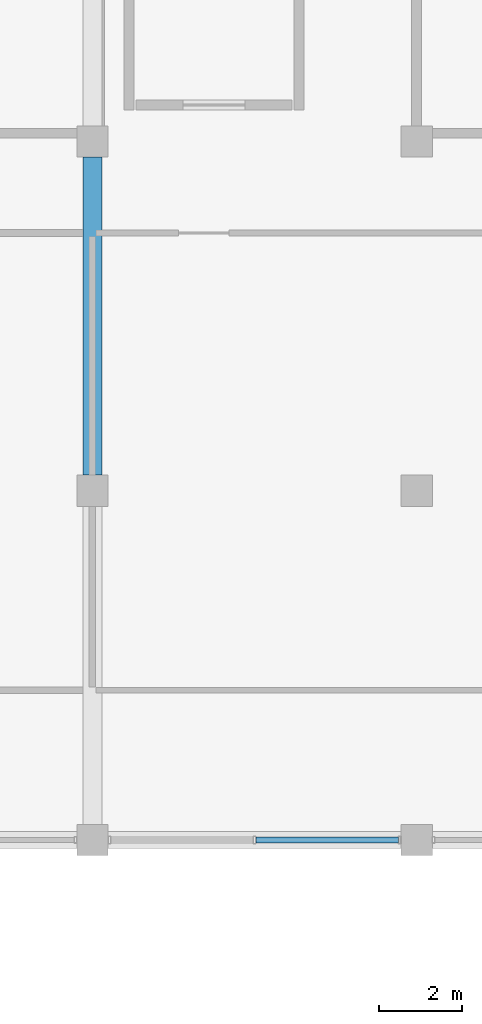
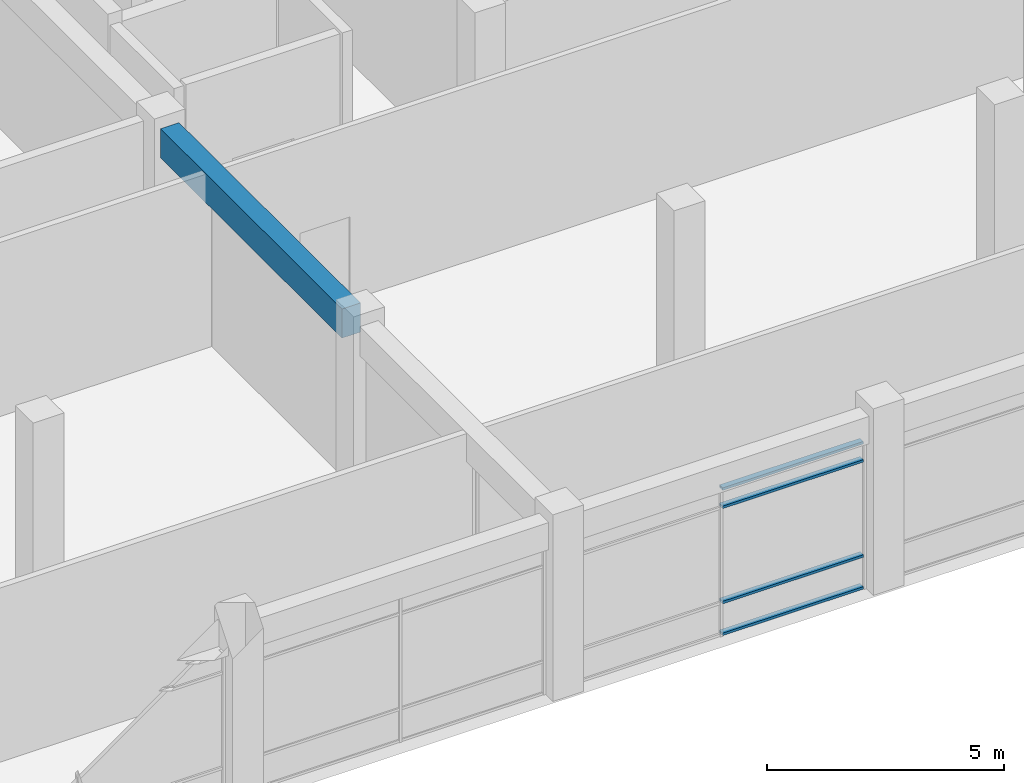
# One storey, part 21 of 62: 4 members, 1 beam, 1 element without a shape of its own.
"""IFC4 building model written with IfcOpenShell, lengths in metres."""

from ifc_helpers import new_model, si_unit, direction, frame, origin, origin_2d, place, context, subcontext, project, spatial, rectangle, hollow_rectangle, extrude, material, material_profile, profile_set, type_object, element, aggregate, save


model = new_model("IFC4")

# Units and contexts
model_context = context("Model", 3, precision=1e-05, world=origin(), true_north=direction((0.0, 1.0)))
body_context = subcontext(model_context, "Body", "Model", "MODEL_VIEW")
ifc_project = project(units=[si_unit("LENGTHUNIT", "METRE"), si_unit("AREAUNIT", "SQUARE_METRE"), si_unit("VOLUMEUNIT", "CUBIC_METRE"), si_unit("PLANEANGLEUNIT", "RADIAN"), si_unit("MASSUNIT", "GRAM", prefix="KILO"), si_unit("THERMODYNAMICTEMPERATUREUNIT", "KELVIN"), si_unit("POWERUNIT", "WATT")], contexts=[model_context])

# Site, building, storey
site_placement = place(None, origin())
site = spatial("IfcSite", under=ifc_project, at=site_placement, CompositionType="ELEMENT")
building_placement = place(site_placement, origin())
building = spatial("IfcBuilding", under=site, at=building_placement, Name="Srebrne Nadtorze General Hospital", CompositionType="ELEMENT")
storey_placement = place(building_placement, frame((0.0, 0.0, 9.60009765625)))
storey = spatial("IfcBuildingStorey", under=building, at=storey_placement, Name="L02", CompositionType="ELEMENT", Elevation=9.60009765625)

# Curtain wall, members
ifc_material_1 = material(Name="Anodised Aluminium", Category="aluminium")
curtain_wall_type = type_object("IfcCurtainWallType", Name="Unitised curtain wall 7050x3800", PredefinedType="NOTDEFINED", material=ifc_material_1)
curtain_wall_placement = place(storey_placement, origin())
curtain_wall = element("IfcCurtainWall", 1, at=curtain_wall_placement, inside=storey, type_object=curtain_wall_type, Name="Curtain wall CW-079", PredefinedType="NOTDEFINED")
ifc_material_2 = material(Name="Anodised Aluminium", Category="aluminium")
ifc_material_profile_1 = material_profile(ifc_material_2, hollow_rectangle(XDim=0.06494140625, YDim=0.139892578125, WallThickness=0.00390625, at=origin_2d()), Name="AL-TRN-65x140")
ifc_profile_set_1 = profile_set([ifc_material_profile_1], Name="Anodised Aluminium")
member_type = type_object("IfcMemberType", Name="Curtain transom 65x140", PredefinedType="USERDEFINED", material=ifc_profile_set_1)
member_1_placement = place(storey_placement, frame((81.9326171875, 50.39990234375, 0.032470703125), z_axis=(1.0, 0.0, 0.0), x_axis=(0.0, 0.0, 1.0)))
member_1 = element("IfcMember", 2, at=member_1_placement, type_object=member_type, Name="CW-079 transom 2.1", ObjectType="TRANSOM", PredefinedType="USERDEFINED", context=body_context, shape_type="SweptSolid", body=[
    extrude(hollow_rectangle(XDim=0.06494140625, YDim=0.139892578125, WallThickness=0.00390625, at=origin_2d()), origin(), (0.0, 0.0, 1.0), 3.427490234375),
])
member_2_placement = place(storey_placement, frame((81.9326171875, 50.39990234375, 0.849853515625), z_axis=(1.0, 0.0, 0.0), x_axis=(0.0, 0.0, 1.0)))
member_2 = element("IfcMember", 3, at=member_2_placement, type_object=member_type, Name="CW-079 transom 2.2", ObjectType="TRANSOM", PredefinedType="USERDEFINED", context=body_context, shape_type="SweptSolid", body=[
    extrude(hollow_rectangle(XDim=0.06494140625, YDim=0.139892578125, WallThickness=0.00390625, at=origin_2d()), origin(), (0.0, 0.0, 1.0), 3.427490234375),
])
member_3_placement = place(storey_placement, frame((81.9326171875, 50.39990234375, 3.2998046875), z_axis=(1.0, 0.0, 0.0), x_axis=(0.0, 0.0, 1.0)))
member_3 = element("IfcMember", 4, at=member_3_placement, type_object=member_type, Name="CW-079 transom 2.3", ObjectType="TRANSOM", PredefinedType="USERDEFINED", context=body_context, shape_type="SweptSolid", body=[
    extrude(hollow_rectangle(XDim=0.06494140625, YDim=0.139892578125, WallThickness=0.00390625, at=origin_2d()), origin(), (0.0, 0.0, 1.0), 3.427490234375),
])
member_4_placement = place(storey_placement, frame((81.9326171875, 50.39990234375, 3.767333984375), z_axis=(1.0, 0.0, 0.0), x_axis=(0.0, 0.0, 1.0)))
member_4 = element("IfcMember", 5, at=member_4_placement, type_object=member_type, Name="CW-079 transom 2.4", ObjectType="TRANSOM", PredefinedType="USERDEFINED", context=body_context, shape_type="SweptSolid", body=[
    extrude(hollow_rectangle(XDim=0.06494140625, YDim=0.139892578125, WallThickness=0.00390625, at=origin_2d()), origin(), (0.0, 0.0, 1.0), 3.427490234375),
])
aggregate(curtain_wall, [member_1, member_2, member_3, member_4])

# Beam
ifc_material_3 = material(Name="Concrete C40/50", Category="concrete")
ifc_material_profile_2 = material_profile(ifc_material_3, rectangle(XDim=0.449951171875, YDim=0.75, at=origin_2d()), Name="RC-BM-450x750")
ifc_profile_set_2 = profile_set([ifc_material_profile_2], Name="Concrete C40/50")
beam_type = type_object("IfcBeamType", Name="Primary beam RC 450x750", PredefinedType="BEAM", material=ifc_profile_set_2)
beam_placement = place(storey_placement, frame((78.0, 59.175048828125, 4.125), z_axis=(0.0, 1.0, 0.0), x_axis=(-1.0, 0.0, 0.0)))
element("IfcBeam", 6, at=beam_placement, inside=storey, type_object=beam_type, Name="Beam BM-L02-Y-0668", PredefinedType="BEAM", context=body_context, shape_type="SweptSolid", body=[
    extrude(rectangle(XDim=0.449951171875, YDim=0.75, at=origin_2d()), origin(), (0.0, 0.0, 1.0), 7.64990234375),
])

save(model, "model.ifc")
